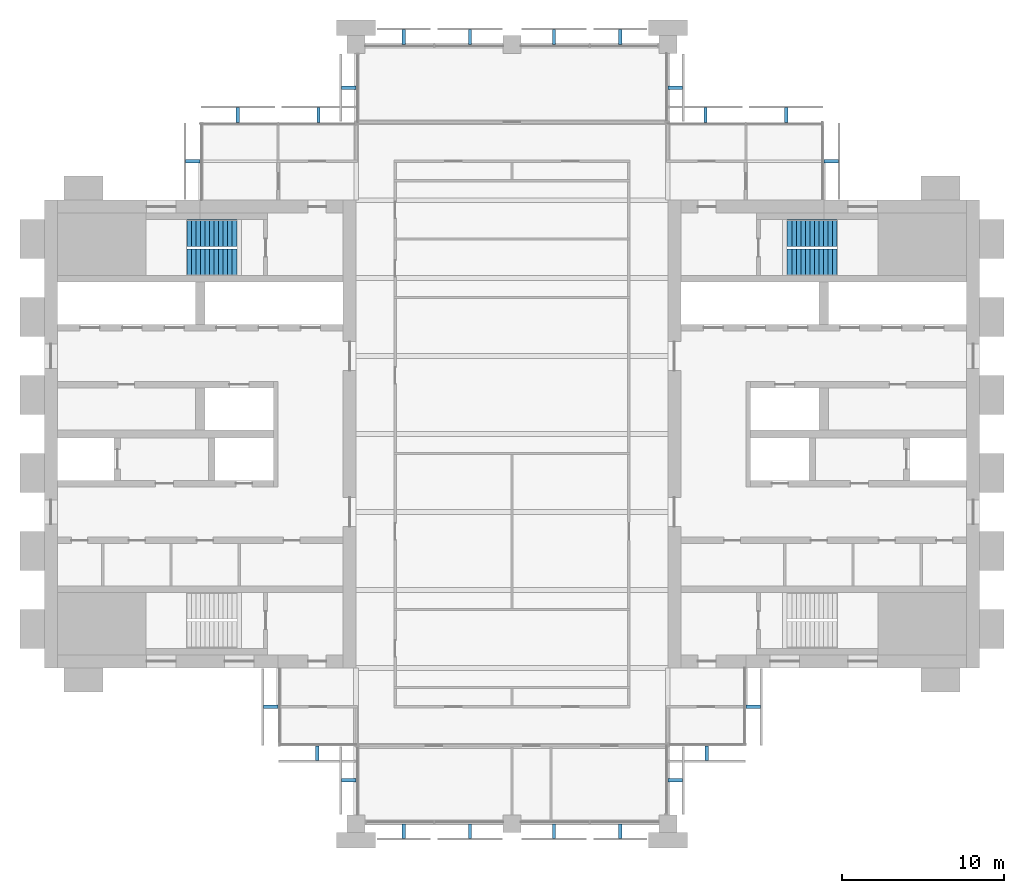
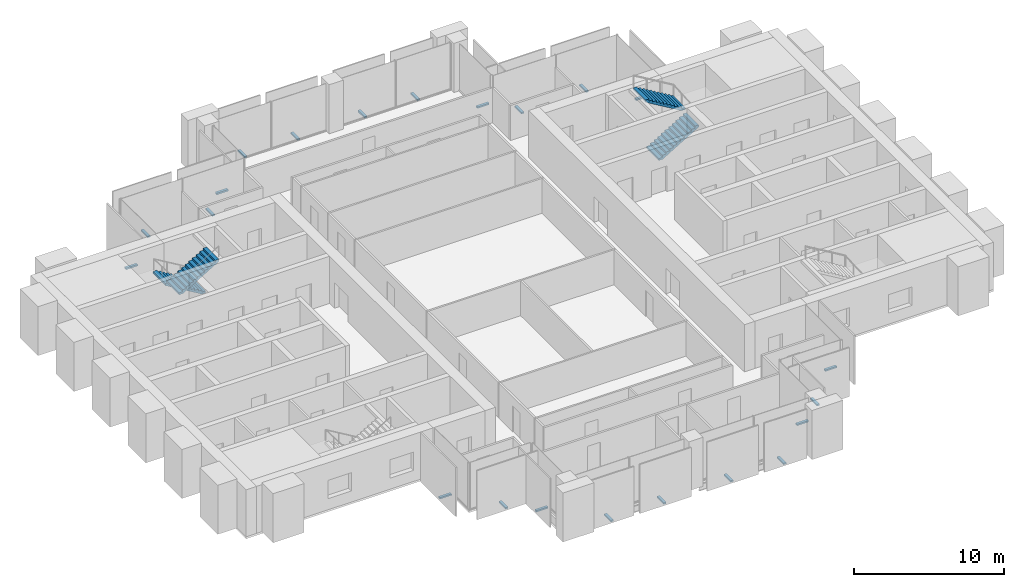
# One storey, part 12 of 13: 22 discrete accessories, 4 stair flights, 2 elements without a shape of their own.
"""IFC4 building model written with IfcOpenShell, lengths in metres."""

from ifc_helpers import new_model, si_unit, direction, frame, origin, origin_2d, place, context, subcontext, project, spatial, polyline, rectangle, outline, extrude, material, type_object, element, aggregate, save


model = new_model("IFC4")

# Units and contexts
model_context = context("Model", 3, precision=1e-05, world=origin(), true_north=direction((0.0, 1.0)))
body_context = subcontext(model_context, "Body", "Model", "MODEL_VIEW")
ifc_project = project(units=[si_unit("LENGTHUNIT", "METRE"), si_unit("AREAUNIT", "SQUARE_METRE"), si_unit("VOLUMEUNIT", "CUBIC_METRE"), si_unit("PLANEANGLEUNIT", "RADIAN"), si_unit("MASSUNIT", "GRAM", prefix="KILO")], contexts=[model_context])

# Site, building, storey
site_placement = place(None, origin())
site = spatial("IfcSite", under=ifc_project, at=site_placement, CompositionType="ELEMENT")
building_placement = place(site_placement, origin())
building = spatial("IfcBuilding", under=site, at=building_placement, Name="Baori Bourse Tower", CompositionType="ELEMENT")
storey_placement = place(building_placement, frame((0.0, 0.0, 241.199951171875)))
storey = spatial("IfcBuildingStorey", under=building, at=storey_placement, Name="L53", CompositionType="ELEMENT", Elevation=241.199951171875)

# Stair, stair flights
ifc_material_1 = material(Name="Concrete f'c 50 MPa", Category="concrete")
stair_type = type_object("IfcStairType", Name="Core stair", PredefinedType="HALF_TURN_STAIR", material=ifc_material_1)
stair_1_placement = place(storey_placement, origin())
stair_1 = element("IfcStair", 1, at=stair_1_placement, inside=storey, type_object=stair_type, Name="L53 Stair WB", PredefinedType="HALF_TURN_STAIR")
ifc_material_2 = material(Name="Concrete f'c 50 MPa", Category="concrete")
stair_flight_type = type_object("IfcStairFlightType", Name="Core stair flight", PredefinedType="STRAIGHT", material=ifc_material_2)
stair_flight_1_placement = place(storey_placement, frame((11.85009765625, 36.375, 0.0), z_axis=(0.0, 0.0, 1.0), x_axis=(-1.0, 0.0, 0.0)))
stair_flight_1 = element("IfcStairFlight", 2, at=stair_flight_1_placement, type_object=stair_flight_type, Name="ST2 flight 1", NumberOfRisers=12, NumberOfTreads=11, PredefinedType="STRAIGHT", RiserHeight=0.166666667, TreadLength=0.28, context=body_context, shape_type="SweptSolid", body=[
    extrude(outline(polyline([(0.0, 0.0), (0.0, 0.166748046875), (0.280029296875, 0.166748046875), (0.280029296875, 0.333251953125), (0.56005859375, 0.333251953125), (0.56005859375, 0.5), (0.840087890625, 0.5), (0.840087890625, 0.666748046875), (1.1201171875, 0.666748046875), (1.1201171875, 0.833251953125), (1.39990234375, 0.833251953125), (1.39990234375, 1.0), (1.679931640625, 1.0), (1.679931640625, 1.166748046875), (1.9599609375, 1.166748046875), (1.9599609375, 1.333251953125), (2.239990234375, 1.333251953125), (2.239990234375, 1.5), (2.52001953125, 1.5), (2.52001953125, 1.666748046875), (2.800048828125, 1.666748046875), (2.800048828125, 1.833251953125), (3.080078125, 1.833251953125), (3.080078125, 2.0), (3.080078125, 1.658935546875), (0.29296875, 0.0), (0.0, 0.0)])), frame((0.0, 0.824951171875, 0.0), z_axis=(0.0, -1.0, 0.0), x_axis=(1.0, 0.0, 0.0)), (0.0, 0.0, 1.0), 1.64990234375),
])
stair_flight_2_placement = place(storey_placement, frame((8.77001953125, 34.574951171875, 2.0), z_axis=(0.0, 0.0, 1.0), x_axis=(1.0, 0.0, 0.0)))
stair_flight_2 = element("IfcStairFlight", 3, at=stair_flight_2_placement, type_object=stair_flight_type, Name="ST2 flight 2", NumberOfRisers=12, NumberOfTreads=11, PredefinedType="STRAIGHT", RiserHeight=0.166666667, TreadLength=0.28, context=body_context, shape_type="SweptSolid", body=[
    extrude(outline(polyline([(0.0, 0.0), (0.0, 0.166748046875), (0.280029296875, 0.166748046875), (0.280029296875, 0.333251953125), (0.56005859375, 0.333251953125), (0.56005859375, 0.5), (0.840087890625, 0.5), (0.840087890625, 0.666748046875), (1.1201171875, 0.666748046875), (1.1201171875, 0.833251953125), (1.39990234375, 0.833251953125), (1.39990234375, 1.0), (1.679931640625, 1.0), (1.679931640625, 1.166748046875), (1.9599609375, 1.166748046875), (1.9599609375, 1.333251953125), (2.239990234375, 1.333251953125), (2.239990234375, 1.5), (2.52001953125, 1.5), (2.52001953125, 1.666748046875), (2.800048828125, 1.666748046875), (2.800048828125, 1.833251953125), (3.080078125, 1.833251953125), (3.080078125, 2.0), (3.080078125, 1.658935546875), (0.29296875, 0.0), (0.0, 0.0)])), frame((0.0, 0.824951171875, 0.0), z_axis=(0.0, -1.0, 0.0), x_axis=(1.0, 0.0, 0.0)), (0.0, 0.0, 1.0), 1.64990234375),
])
aggregate(stair_1, [stair_flight_1, stair_flight_2])

stair_2_placement = place(storey_placement, origin())
stair_2 = element("IfcStair", 4, at=stair_2_placement, inside=storey, type_object=stair_type, Name="L53 Stair EB", PredefinedType="HALF_TURN_STAIR")
stair_flight_3_placement = place(storey_placement, frame((45.75, 34.574951171875, 0.0), z_axis=(0.0, 0.0, 1.0), x_axis=(1.0, 0.0, 0.0)))
stair_flight_3 = element("IfcStairFlight", 5, at=stair_flight_3_placement, type_object=stair_flight_type, Name="ST4 flight 1", NumberOfRisers=12, NumberOfTreads=11, PredefinedType="STRAIGHT", RiserHeight=0.166666667, TreadLength=0.28, context=body_context, shape_type="SweptSolid", body=[
    extrude(outline(polyline([(0.0, 0.0), (0.0, 0.166748046875), (0.280029296875, 0.166748046875), (0.280029296875, 0.333251953125), (0.56005859375, 0.333251953125), (0.56005859375, 0.5), (0.840087890625, 0.5), (0.840087890625, 0.666748046875), (1.1201171875, 0.666748046875), (1.1201171875, 0.833251953125), (1.39990234375, 0.833251953125), (1.39990234375, 1.0), (1.679931640625, 1.0), (1.679931640625, 1.166748046875), (1.9599609375, 1.166748046875), (1.9599609375, 1.333251953125), (2.239990234375, 1.333251953125), (2.239990234375, 1.5), (2.52001953125, 1.5), (2.52001953125, 1.666748046875), (2.800048828125, 1.666748046875), (2.800048828125, 1.833251953125), (3.080078125, 1.833251953125), (3.080078125, 2.0), (3.080078125, 1.658935546875), (0.29296875, 0.0), (0.0, 0.0)])), frame((0.0, 0.824951171875, 0.0), z_axis=(0.0, -1.0, 0.0), x_axis=(1.0, 0.0, 0.0)), (0.0, 0.0, 1.0), 1.64990234375),
])
stair_flight_4_placement = place(storey_placement, frame((48.830078125, 36.375, 2.0), z_axis=(0.0, 0.0, 1.0), x_axis=(-1.0, 0.0, 0.0)))
stair_flight_4 = element("IfcStairFlight", 6, at=stair_flight_4_placement, type_object=stair_flight_type, Name="ST4 flight 2", NumberOfRisers=12, NumberOfTreads=11, PredefinedType="STRAIGHT", RiserHeight=0.166666667, TreadLength=0.28, context=body_context, shape_type="SweptSolid", body=[
    extrude(outline(polyline([(0.0, 0.0), (0.0, 0.166748046875), (0.280029296875, 0.166748046875), (0.280029296875, 0.333251953125), (0.56005859375, 0.333251953125), (0.56005859375, 0.5), (0.840087890625, 0.5), (0.840087890625, 0.666748046875), (1.1201171875, 0.666748046875), (1.1201171875, 0.833251953125), (1.39990234375, 0.833251953125), (1.39990234375, 1.0), (1.679931640625, 1.0), (1.679931640625, 1.166748046875), (1.9599609375, 1.166748046875), (1.9599609375, 1.333251953125), (2.239990234375, 1.333251953125), (2.239990234375, 1.5), (2.52001953125, 1.5), (2.52001953125, 1.666748046875), (2.800048828125, 1.666748046875), (2.800048828125, 1.833251953125), (3.080078125, 1.833251953125), (3.080078125, 2.0), (3.080078125, 1.658935546875), (0.29296875, 0.0), (0.0, 0.0)])), frame((0.0, 0.824951171875, 0.0), z_axis=(0.0, -1.0, 0.0), x_axis=(1.0, 0.0, 0.0)), (0.0, 0.0, 1.0), 1.64990234375),
])
aggregate(stair_2, [stair_flight_3, stair_flight_4])

# Discrete accessories
ifc_material_3 = material(Name="Pale anodised aluminium", Category="aluminium")
discrete_accessory_type = type_object("IfcDiscreteAccessoryType", Name="OS2 Outer skin bracket", PredefinedType="BRACKET", material=ifc_material_3)
for number, where, z_axis, x_axis, name in (
    (7, (48.449951171875, 40.800048828125, -0.143798828125), (0.0, 0.0, 1.0), (0.0, 1.0, 0.0), "Outer skin bracket L53 1"),
    (8, (45.6875, 43.64990234375, -0.143798828125), (0.0, 0.0, 1.0), (-1.0, 0.0, 0.0), "Outer skin bracket L53 2"),
    (9, (40.71240234375, 43.64990234375, -0.143798828125), (0.0, 0.0, 1.0), (-1.0, 0.0, 0.0), "Outer skin bracket L53 3"),
    (10, (38.85009765625, 45.324951171875, -0.143798828125), (0.0, 0.0, 1.0), (0.0, 1.0, 0.0), "Outer skin bracket L53 4"),
    (11, (35.46240234375, 48.449951171875, -0.143798828125), (0.0, 0.0, 1.0), (-1.0, 0.0, 0.0), "Outer skin bracket L53 5"),
    (12, (31.387451171875, 48.449951171875, -0.143798828125), (0.0, 0.0, 1.0), (-1.0, 0.0, 0.0), "Outer skin bracket L53 6"),
    (13, (26.21240234375, 48.449951171875, -0.143798828125), (0.0, 0.0, 1.0), (-1.0, 0.0, 0.0), "Outer skin bracket L53 7"),
    (14, (22.137451171875, 48.449951171875, -0.143798828125), (0.0, 0.0, 1.0), (-1.0, 0.0, 0.0), "Outer skin bracket L53 8"),
    (15, (18.75, 45.324951171875, -0.143798828125), (0.0, 0.0, 1.0), (0.0, -1.0, 0.0), "Outer skin bracket L53 9"),
    (16, (16.887451171875, 43.64990234375, -0.143798828125), (0.0, 0.0, 1.0), (-1.0, 0.0, 0.0), "Outer skin bracket L53 10"),
    (17, (11.91259765625, 43.64990234375, -0.143798828125), (0.0, 0.0, 1.0), (-1.0, 0.0, 0.0), "Outer skin bracket L53 11"),
    (18, (9.14990234375, 40.800048828125, -0.143798828125), (0.0, 0.0, 1.0), (0.0, -1.0, 0.0), "Outer skin bracket L53 12"),
    (19, (13.949951171875, 7.199951171875, -0.143798828125), (0.0, 0.0, 1.0), (0.0, -1.0, 0.0), "Outer skin bracket L53 13"),
    (20, (16.800048828125, 4.35009765625, -0.143798828125), (0.0, 0.0, 1.0), (1.0, 0.0, 0.0), "Outer skin bracket L53 14"),
    (21, (18.75, 2.675048828125, -0.143798828125), (0.0, 0.0, 1.0), (0.0, -1.0, 0.0), "Outer skin bracket L53 15"),
    (22, (22.137451171875, -0.449951171875, -0.143798828125), (0.0, 0.0, 1.0), (1.0, 0.0, 0.0), "Outer skin bracket L53 16"),
    (23, (26.21240234375, -0.449951171875, -0.143798828125), (0.0, 0.0, 1.0), (1.0, 0.0, 0.0), "Outer skin bracket L53 17"),
    (24, (31.387451171875, -0.449951171875, -0.143798828125), (0.0, 0.0, 1.0), (1.0, 0.0, 0.0), "Outer skin bracket L53 18"),
    (25, (35.46240234375, -0.449951171875, -0.143798828125), (0.0, 0.0, 1.0), (1.0, 0.0, 0.0), "Outer skin bracket L53 19"),
    (26, (38.85009765625, 2.675048828125, -0.143798828125), (0.0, 0.0, 1.0), (0.0, 1.0, 0.0), "Outer skin bracket L53 20"),
    (27, (40.800048828125, 4.35009765625, -0.143798828125), (0.0, 0.0, 1.0), (1.0, 0.0, 0.0), "Outer skin bracket L53 21"),
    (28, (43.64990234375, 7.199951171875, -0.143798828125), (0.0, 0.0, 1.0), (0.0, 1.0, 0.0), "Outer skin bracket L53 22"),
):
    element("IfcDiscreteAccessory", number, at=place(storey_placement, frame(where, z_axis=z_axis, x_axis=x_axis)), inside=storey, type_object=discrete_accessory_type, Name=name, PredefinedType="BRACKET", context=body_context, shape_type="SweptSolid", body=[
        extrude(rectangle(XDim=0.199951171875, YDim=0.89990234375, at=origin_2d()), origin(), (0.0, 0.0, 1.0), 0.1279296875),
    ])

save(model, "model.ifc")
